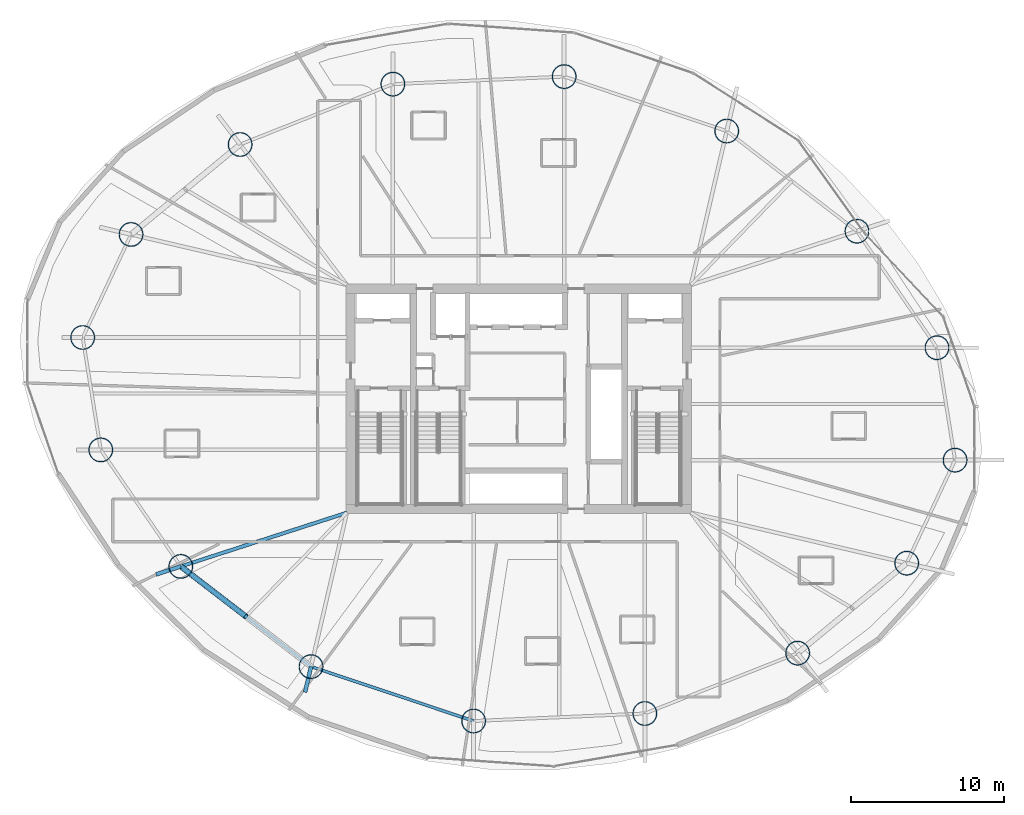
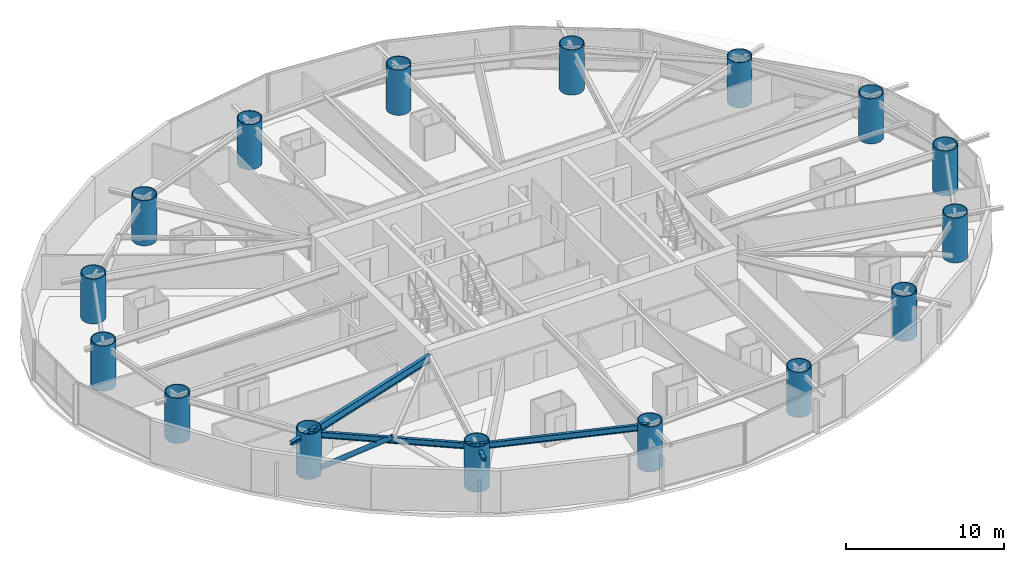
# One storey, part 1 of 27: 16 columns, 5 beams, 1 member.
"""IFC4 building model written with IfcOpenShell, lengths in metres."""

from ifc_helpers import new_model, si_unit, direction, frame, origin, origin_2d, place, context, subcontext, project, spatial, hollow_circle, i_section, extrude, material, material_profile, profile_set, type_object, element, save


model = new_model("IFC4")

# Units and contexts
model_context = context("Model", 3, precision=1e-05, world=origin(), true_north=direction((0.0, 1.0)))
body_context = subcontext(model_context, "Body", "Model", "MODEL_VIEW")
ifc_project = project(units=[si_unit("LENGTHUNIT", "METRE"), si_unit("AREAUNIT", "SQUARE_METRE"), si_unit("VOLUMEUNIT", "CUBIC_METRE"), si_unit("PLANEANGLEUNIT", "RADIAN"), si_unit("MASSUNIT", "GRAM", prefix="KILO")], contexts=[model_context])

# Site, building, storey
site_placement = place(None, origin())
site = spatial("IfcSite", under=ifc_project, at=site_placement, CompositionType="ELEMENT")
building_placement = place(site_placement, origin())
building = spatial("IfcBuilding", under=site, at=building_placement, Name="Bramvorn Convention Spire", CompositionType="ELEMENT")
storey_placement = place(building_placement, frame((0.0, 0.0, 79.89990234375)))
storey = spatial("IfcBuildingStorey", under=building, at=storey_placement, Name="L18", CompositionType="ELEMENT", Elevation=79.89990234375)

# Columns
ifc_material = material(Name="Steel CSA G40.21 Grade 350 (350W)", Category="steel")
ifc_material_profile_1 = material_profile(ifc_material, hollow_circle(Radius=0.800048828125, WallThickness=0.06005859375, at=origin_2d()))
ifc_profile_set_1 = profile_set([ifc_material_profile_1], Name="Steel CSA G40.21 Grade 350 (350W) - CFT1600X60")
column_type = type_object("IfcColumnType", Name="COL-CFT1600X60", PredefinedType="COLUMN", material=ifc_profile_set_1)
for number, where, z_axis, x_axis, name in (
    (1, (66.519775390625, 21.99169921875, 0.0), (0.0, 0.0, 1.0), (1.0, 0.0, 0.0), "L18 composite CFT mega-column MC01"),
    (2, (65.338623046875, 29.340087890625, 0.0), (0.0, 0.0, 1.0), (1.0, 0.0, 0.0), "L18 composite CFT mega-column MC02"),
    (3, (60.105224609375, 36.960205078125, 0.0), (0.0, 0.0, 1.0), (1.0, 0.0, 0.0), "L18 composite CFT mega-column MC03"),
    (4, (51.59033203125, 43.509033203125, 0.0), (0.0, 0.0, 1.0), (1.0, 0.0, 0.0), "L18 composite CFT mega-column MC04"),
    (5, (40.9609375, 47.06884765625, 0.0), (0.0, 0.0, 1.0), (1.0, 0.0, 0.0), "L18 composite CFT mega-column MC05"),
    (6, (29.76220703125, 46.57666015625, 0.0), (0.0, 0.0, 1.0), (1.0, 0.0, 0.0), "L18 composite CFT mega-column MC06"),
    (7, (19.772216796875, 42.628662109375, 0.0), (0.0, 0.0, 1.0), (1.0, 0.0, 0.0), "L18 composite CFT mega-column MC07"),
    (8, (12.64111328125, 36.746337890625, 0.0), (0.0, 0.0, 1.0), (1.0, 0.0, 0.0), "L18 composite CFT mega-column MC08"),
    (9, (9.480224609375, 30.00830078125, 0.0), (0.0, 0.0, 1.0), (1.0, 0.0, 0.0), "L18 composite CFT mega-column MC09"),
    (10, (10.661376953125, 22.659912109375, 0.0), (0.0, 0.0, 1.0), (1.0, 0.0, 0.0), "L18 composite CFT mega-column MC10"),
    (11, (15.894775390625, 15.039794921875, 0.0), (0.0, 0.0, 1.0), (1.0, 0.0, 0.0), "L18 composite CFT mega-column MC11"),
    (12, (24.40966796875, 8.490966796875, 0.0), (0.0, 0.0, 1.0), (1.0, 0.0, 0.0), "L18 composite CFT mega-column MC12"),
    (13, (35.0390625, 4.93115234375, 0.0), (0.0, 0.0, 1.0), (1.0, 0.0, 0.0), "L18 composite CFT mega-column MC13"),
    (14, (46.23779296875, 5.42333984375, 0.0), (0.0, 0.0, 1.0), (1.0, 0.0, 0.0), "L18 composite CFT mega-column MC14"),
    (15, (56.227783203125, 9.371337890625, 0.0), (0.0, 0.0, 1.0), (1.0, 0.0, 0.0), "L18 composite CFT mega-column MC15"),
    (16, (63.35888671875, 15.253662109375, 0.0), (0.0, 0.0, 1.0), (1.0, 0.0, 0.0), "L18 composite CFT mega-column MC16"),
):
    element("IfcColumn", number, at=place(storey_placement, frame(where, z_axis=z_axis, x_axis=x_axis)), inside=storey, type_object=column_type, Name=name, PredefinedType="COLUMN", context=body_context, shape_type="SweptSolid", body=[
        extrude(hollow_circle(Radius=0.800048828125, WallThickness=0.06005859375, at=origin_2d()), origin(), (0.0, 0.0, 1.0), 3.5),
    ])

# Beams
ifc_material_profile_2 = material_profile(ifc_material, i_section(OverallWidth=0.25390625, OverallDepth=0.2529296875, WebThickness=0.008544921875, FlangeThickness=0.01416015625, FilletRadius=0.011962890625, at=origin_2d()))
ifc_profile_set_2 = profile_set([ifc_material_profile_2], Name="Steel CSA G40.21 Grade 350 (350W) - W250X73")
beam_type_1 = type_object("IfcBeamType", Name="BM-W250X73", PredefinedType="BEAM", material=ifc_profile_set_2)
beam_1_placement = place(storey_placement, frame((15.894775390625, 15.039794921875, 3.12353515625), z_axis=(-0.951481721071, -0.307705272084, 0.0), x_axis=(0.307705272084, -0.951481721071, 0.0)))
element("IfcBeam", 17, at=beam_1_placement, inside=storey, type_object=beam_type_1, Name="L18 slab-edge cantilever tip beam MC11", PredefinedType="BEAM", context=body_context, shape_type="SweptSolid", body=[
    extrude(i_section(OverallWidth=0.25390625, OverallDepth=0.2529296875, WebThickness=0.008544921875, FlangeThickness=0.01416015625, FilletRadius=0.011962890625, at=origin_2d()), origin(), (0.0, 0.0, 1.0), 1.695556640625),
])
beam_2_placement = place(storey_placement, frame((24.40966796875, 8.490966796875, 3.12353515625), z_axis=(-0.226522859451, -0.974005849133, 0.0), x_axis=(0.974005849133, -0.226522859451, 0.0)))
element("IfcBeam", 18, at=beam_2_placement, inside=storey, type_object=beam_type_1, Name="L18 slab-edge cantilever tip beam MC12", PredefinedType="BEAM", context=body_context, shape_type="SweptSolid", body=[
    extrude(i_section(OverallWidth=0.25390625, OverallDepth=0.2529296875, WebThickness=0.008544921875, FlangeThickness=0.01416015625, FilletRadius=0.011962890625, at=origin_2d()), origin(), (0.0, 0.0, 1.0), 1.7255859375),
])
ifc_material_profile_3 = material_profile(ifc_material, i_section(OverallWidth=0.194091796875, OverallDepth=0.468994140625, WebThickness=0.0126953125, FlangeThickness=0.0205078125, FilletRadius=0.01806640625, at=origin_2d()))
ifc_profile_set_3 = profile_set([ifc_material_profile_3], Name="Steel CSA G40.21 Grade 350 (350W) - W460X106")
beam_type_2 = type_object("IfcBeamType", Name="BM-W460X106", PredefinedType="SPANDREL", material=ifc_profile_set_3)
beam_3_placement = place(storey_placement, frame((15.894775390625, 15.039794921875, 3.015625), z_axis=(0.792672990445, -0.609647053809, 0.0), x_axis=(0.609647053809, 0.792672990445, 0.0)))
element("IfcBeam", 19, at=beam_3_placement, inside=storey, type_object=beam_type_2, Name="L18 mega-column ring beam 11", PredefinedType="SPANDREL", context=body_context, shape_type="SweptSolid", body=[
    extrude(i_section(OverallWidth=0.194091796875, OverallDepth=0.468994140625, WebThickness=0.0126953125, FlangeThickness=0.0205078125, FilletRadius=0.01806640625, at=origin_2d()), origin(), (0.0, 0.0, 1.0), 10.741943359375),
])
beam_4_placement = place(storey_placement, frame((24.40966796875, 8.490966796875, 3.015625), z_axis=(0.948235872727, -0.317566890078, 0.0), x_axis=(0.317566890078, 0.948235872727, 0.0)))
element("IfcBeam", 20, at=beam_4_placement, inside=storey, type_object=beam_type_2, Name="L18 mega-column ring beam 12", PredefinedType="SPANDREL", context=body_context, shape_type="SweptSolid", body=[
    extrude(i_section(OverallWidth=0.194091796875, OverallDepth=0.468994140625, WebThickness=0.0126953125, FlangeThickness=0.0205078125, FilletRadius=0.01806640625, at=origin_2d()), origin(), (0.0, 0.0, 1.0), 11.209716796875),
])
ifc_material_profile_4 = material_profile(ifc_material, i_section(OverallWidth=0.22998046875, OverallDepth=0.616943359375, WebThickness=0.01318359375, FlangeThickness=0.022216796875, FilletRadius=0.02001953125, at=origin_2d()))
ifc_profile_set_4 = profile_set([ifc_material_profile_4], Name="Steel CSA G40.21 Grade 350 (350W) - W610X140")
beam_type_3 = type_object("IfcBeamType", Name="BM-W610X140", PredefinedType="BEAM", material=ifc_profile_set_4)
beam_5_placement = place(storey_placement, frame((26.75, 18.550048828125, 2.941650390625), z_axis=(-0.951488933275, -0.307682969719, 0.0), x_axis=(0.307682969719, -0.951488933275, 0.0)))
element("IfcBeam", 21, at=beam_5_placement, inside=storey, type_object=beam_type_3, Name="L18 radial floor girder MC11", PredefinedType="BEAM", context=body_context, shape_type="SweptSolid", body=[
    extrude(i_section(OverallWidth=0.22998046875, OverallDepth=0.616943359375, WebThickness=0.01318359375, FlangeThickness=0.022216796875, FilletRadius=0.02001953125, at=origin_2d()), origin(), (0.0, 0.0, 1.0), 11.40869140625),
])

# Member
ifc_material_profile_5 = material_profile(ifc_material, hollow_circle(Radius=0.177734375, WallThickness=0.015869140625, at=origin_2d()))
ifc_profile_set_5 = profile_set([ifc_material_profile_5], Name="Steel CSA G40.21 Grade 350 (350W) - CHS356X16")
member_type = type_object("IfcMemberType", Name="MBR-CHS356X16", PredefinedType="BRACE", material=ifc_profile_set_5)
member_placement = place(storey_placement, frame((15.894775390625, 15.039794921875, 0.0), z_axis=(0.67819086212, -0.521583568023, 0.517694635962), x_axis=(0.609636070784, 0.7926814374, 0.0)))
element("IfcMember", 22, at=member_placement, inside=storey, type_object=member_type, Name="L18 perimeter Gothic lancet brace 11A", PredefinedType="BRACE", context=body_context, shape_type="SweptSolid", body=[
    extrude(hollow_circle(Radius=0.177734375, WallThickness=0.015869140625, at=origin_2d()), origin(), (0.0, 0.0, 1.0), 6.27783203125),
])

save(model, "model.ifc")
